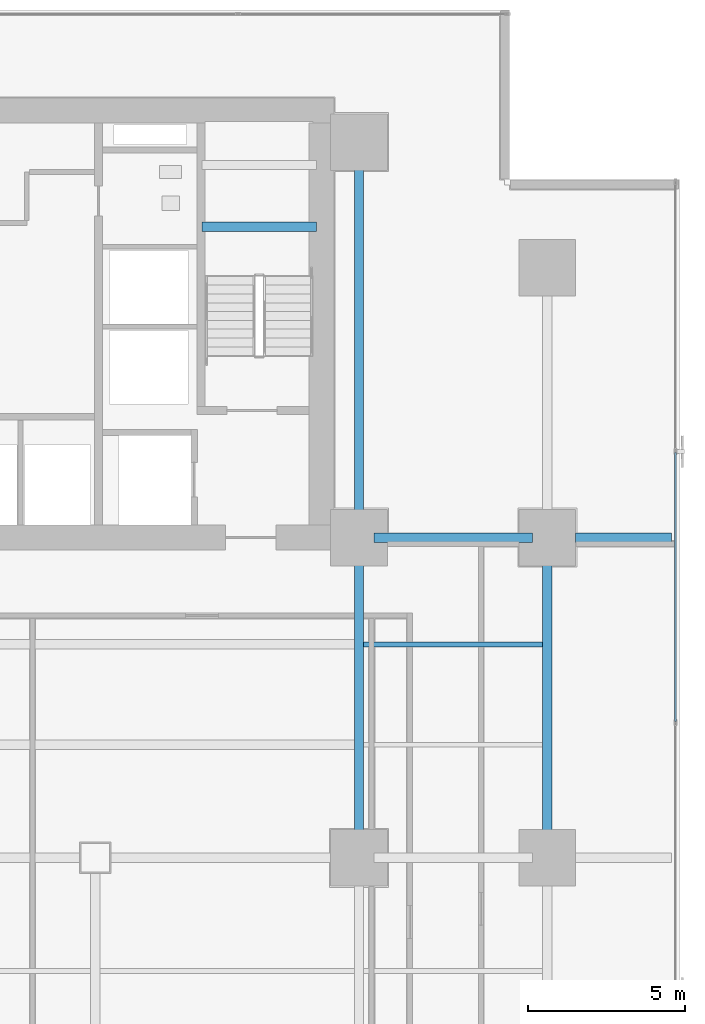
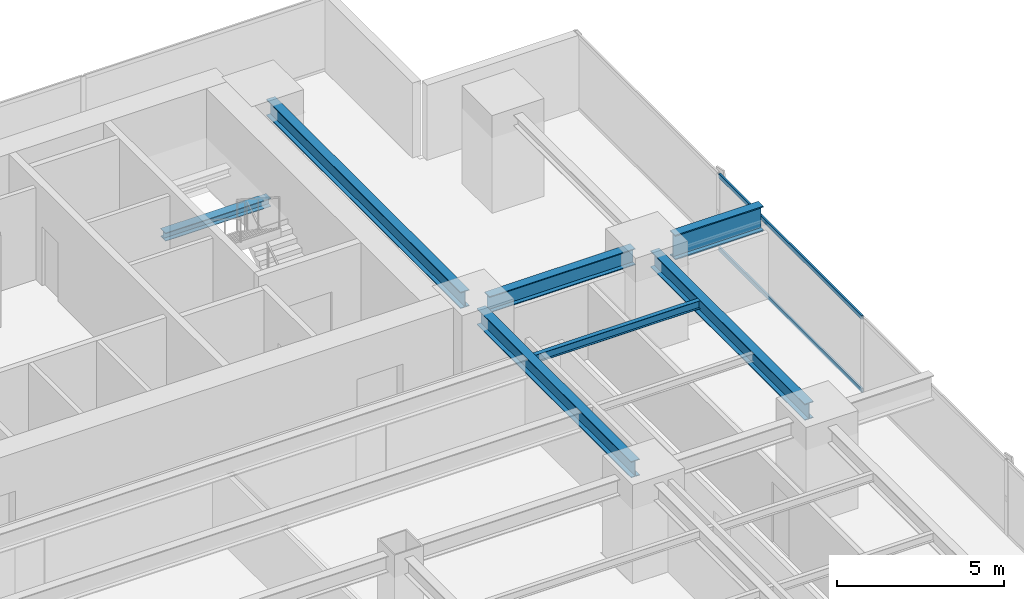
# One storey, part 20 of 34: 7 beams, 2 members, 1 element without a shape of its own.
"""IFC4 building model written with IfcOpenShell, lengths in metres."""

from ifc_helpers import new_model, si_unit, direction, frame, origin, origin_2d, place, context, subcontext, project, spatial, hollow_rectangle, i_section, extrude, source, transform, mapped, material, layer, layer_set, material_profile, profile_set, type_object, element, aggregate, save


model = new_model("IFC4")

# Units and contexts
model_context = context("Model", 3, precision=1e-05, world=origin(), true_north=direction((0.0, 1.0)))
body_context = subcontext(model_context, "Body", "Model", "MODEL_VIEW")
ifc_project = project(units=[si_unit("LENGTHUNIT", "METRE"), si_unit("AREAUNIT", "SQUARE_METRE"), si_unit("VOLUMEUNIT", "CUBIC_METRE"), si_unit("PLANEANGLEUNIT", "RADIAN"), si_unit("MASSUNIT", "GRAM", prefix="KILO")], contexts=[model_context])

# Site, building, storey
site_placement = place(None, origin())
site = spatial("IfcSite", under=ifc_project, at=site_placement, CompositionType="ELEMENT")
building_placement = place(site_placement, origin())
building = spatial("IfcBuilding", under=site, at=building_placement, Name="Sumidabori Civic Tower", CompositionType="ELEMENT")
storey_placement = place(building_placement, frame((0.0, 0.0, 56.0)))
storey = spatial("IfcBuildingStorey", under=building, at=storey_placement, Name="L14", CompositionType="ELEMENT", Elevation=56.0)

# Beams
ifc_material_1 = material(Name="Steel SN490", Category="steel")
ifc_material_profile_1 = material_profile(ifc_material_1, i_section(OverallWidth=0.300048828125, OverallDepth=0.300048828125, WebThickness=0.010986328125, FlangeThickness=0.01904296875, at=origin_2d()), Name="HE 300 B")
ifc_profile_set_1 = profile_set([ifc_material_profile_1], Name="Steel SN490")
beam_type_1 = type_object("IfcBeamType", Name="BM-LDG-300", PredefinedType="BEAM", material=ifc_profile_set_1)
shared_shape_1 = source(origin(), body_context, "Body", "SweptSolid", [
    extrude(i_section(OverallWidth=0.300048828125, OverallDepth=0.300048828125, WebThickness=0.010986328125, FlangeThickness=0.01904296875, at=origin_2d()), origin(), (0.0, 0.0, 1.0), 3.64990234375),
])
beam_1_placement = place(storey_placement, frame((11.800048828125, 20.09765625, 1.449951171875), z_axis=(1.0, 0.0, 0.0), x_axis=(0.0, 1.0, 0.0)))
element("IfcBeam", 1, at=beam_1_placement, inside=storey, type_object=beam_type_1, Name="Stair ST-2 Landing Support Beam L14-1A", PredefinedType="BEAM", context=body_context, shape_type="MappedRepresentation", body=[
    mapped(shared_shape_1, transform((0.0, 0.0, 0.0), x_axis=(1.0, 0.0, 0.0), y_axis=(0.0, 1.0, 0.0), z_axis=(0.0, 0.0, 1.0), scale=1.0)),
])
ifc_material_profile_2 = material_profile(ifc_material_1, i_section(OverallWidth=0.300048828125, OverallDepth=0.60009765625, WebThickness=0.015380859375, FlangeThickness=0.030029296875, at=origin_2d()), Name="HE 600 B")
ifc_profile_set_2 = profile_set([ifc_material_profile_2], Name="Steel SN490")
beam_type_2 = type_object("IfcBeamType", Name="BM-GIRD-600", PredefinedType="BEAM", material=ifc_profile_set_2)
shared_shape_2 = source(origin(), body_context, "Body", "SweptSolid", [
    extrude(i_section(OverallWidth=0.300048828125, OverallDepth=0.60009765625, WebThickness=0.015380859375, FlangeThickness=0.030029296875, at=origin_2d()), origin(), (0.0, 0.0, 1.0), 5.0400390625),
])
beam_2_placement = place(storey_placement, frame((17.280029296875, 10.199951171875, 3.06005859375), z_axis=(1.0, 0.0, 0.0), x_axis=(0.0, 1.0, 0.0)))
element("IfcBeam", 2, at=beam_2_placement, inside=storey, type_object=beam_type_2, Name="Primary Girder L14 GX-20", PredefinedType="BEAM", context=body_context, shape_type="MappedRepresentation", body=[
    mapped(shared_shape_2, transform((0.0, 0.0, 0.0), x_axis=(1.0, 0.0, 0.0), y_axis=(0.0, 1.0, 0.0), z_axis=(0.0, 0.0, 1.0), scale=1.0)),
])
shared_shape_3 = source(origin(), body_context, "Body", "SweptSolid", [
    extrude(i_section(OverallWidth=0.300048828125, OverallDepth=0.60009765625, WebThickness=0.015380859375, FlangeThickness=0.030029296875, at=origin_2d()), origin(), (0.0, 0.0, 1.0), 9.239990234375),
])
for number, where, z_axis, x_axis, name in (
    (3, (16.800048828125, 0.47998046875, 3.06005859375), (0.0, 1.0, 0.0), (-1.0, 0.0, 0.0), "Primary Girder L14 GY-37"),
    (4, (22.800048828125, 0.47998046875, 3.06005859375), (0.0, 1.0, 0.0), (-1.0, 0.0, 0.0), "Primary Girder L14 GY-41"),
):
    element("IfcBeam", number, at=place(storey_placement, frame(where, z_axis=z_axis, x_axis=x_axis)), inside=storey, type_object=beam_type_2, Name=name, PredefinedType="BEAM", context=body_context, shape_type="MappedRepresentation", body=[
        mapped(shared_shape_3, transform((0.0, 0.0, 0.0), x_axis=(1.0, 0.0, 0.0), y_axis=(0.0, 1.0, 0.0), z_axis=(0.0, 0.0, 1.0), scale=1.0)),
    ])
shared_shape_4 = source(origin(), body_context, "Body", "SweptSolid", [
    extrude(i_section(OverallWidth=0.300048828125, OverallDepth=0.60009765625, WebThickness=0.015380859375, FlangeThickness=0.030029296875, at=origin_2d()), origin(), (0.0, 0.0, 1.0), 11.64013671875),
])
beam_3_placement = place(storey_placement, frame((16.800048828125, 10.679931640625, 3.06005859375), z_axis=(0.0, 1.0, 0.0), x_axis=(-1.0, 0.0, 0.0)))
element("IfcBeam", 5, at=beam_3_placement, inside=storey, type_object=beam_type_2, Name="Primary Girder L14 GY-38", PredefinedType="BEAM", context=body_context, shape_type="MappedRepresentation", body=[
    mapped(shared_shape_4, transform((0.0, 0.0, 0.0), x_axis=(1.0, 0.0, 0.0), y_axis=(0.0, 1.0, 0.0), z_axis=(0.0, 0.0, 1.0), scale=1.0)),
])
ifc_material_profile_3 = material_profile(ifc_material_1, i_section(OverallWidth=0.302001953125, OverallDepth=0.909912109375, WebThickness=0.02099609375, FlangeThickness=0.0400390625, at=origin_2d()), Name="HE 900 M")
ifc_profile_set_3 = profile_set([ifc_material_profile_3], Name="Steel SN490")
beam_type_3 = type_object("IfcBeamType", Name="BM-Z1-EDGE", PredefinedType="SPANDREL", material=ifc_profile_set_3)
shared_shape_5 = source(origin(), body_context, "Body", "SweptSolid", [
    extrude(i_section(OverallWidth=0.302001953125, OverallDepth=0.909912109375, WebThickness=0.02099609375, FlangeThickness=0.0400390625, at=origin_2d()), origin(), (0.0, 0.0, 1.0), 3.050048828125),
])
beam_4_placement = place(storey_placement, frame((23.699951171875, 10.199951171875, 2.905029296875), z_axis=(1.0, 0.0, 0.0), x_axis=(0.0, 1.0, 0.0)))
element("IfcBeam", 6, at=beam_4_placement, inside=storey, type_object=beam_type_3, Name="Perimeter Overhang Beam L14 E-47", PredefinedType="SPANDREL", context=body_context, shape_type="MappedRepresentation", body=[
    mapped(shared_shape_5, transform((0.0, 0.0, 0.0), x_axis=(1.0, 0.0, 0.0), y_axis=(0.0, 1.0, 0.0), z_axis=(0.0, 0.0, 1.0), scale=1.0)),
])
ifc_material_profile_4 = material_profile(ifc_material_1, i_section(OverallWidth=0.14990234375, OverallDepth=0.300048828125, WebThickness=0.007080078125, FlangeThickness=0.0107421875, at=origin_2d()), Name="IPE 300")
ifc_profile_set_4 = profile_set([ifc_material_profile_4], Name="Steel SN490")
beam_type_4 = type_object("IfcBeamType", Name="BM-JST-300", PredefinedType="JOIST", material=ifc_profile_set_4)
shared_shape_6 = source(origin(), body_context, "Body", "SweptSolid", [
    extrude(i_section(OverallWidth=0.14990234375, OverallDepth=0.300048828125, WebThickness=0.007080078125, FlangeThickness=0.0107421875, at=origin_2d()), origin(), (0.0, 0.0, 1.0), 5.699951171875),
])
beam_5_placement = place(storey_placement, frame((16.949951171875, 6.800048828125, 3.2099609375), z_axis=(1.0, 0.0, 0.0), x_axis=(0.0, 1.0, 0.0)))
element("IfcBeam", 7, at=beam_5_placement, inside=storey, type_object=beam_type_4, Name="Outer Bay Floor Joist L14 JSTO-56", PredefinedType="JOIST", context=body_context, shape_type="MappedRepresentation", body=[
    mapped(shared_shape_6, transform((0.0, 0.0, 0.0), x_axis=(1.0, 0.0, 0.0), y_axis=(0.0, 1.0, 0.0), z_axis=(0.0, 0.0, 1.0), scale=1.0)),
])

# Curtain wall, members
ifc_material_2 = material(Name="Anodised Bronze Aluminium AW-6063-T6", Category="aluminium")
ifc_layer = layer(ifc_material_2, 0.179931640625, Name="Anodised Bronze Aluminium AW-6063-T6")
ifc_layer_set = layer_set([ifc_layer], Name="Anodised Bronze Aluminium AW-6063-T6")
curtain_wall_type = type_object("IfcCurtainWallType", Name="CW-SYS-2", PredefinedType="NOTDEFINED", material=ifc_layer_set)
curtain_wall_placement = place(storey_placement, origin())
curtain_wall = element("IfcCurtainWall", 8, at=curtain_wall_placement, inside=storey, type_object=curtain_wall_type, Name="Curtain Wall CW:L14:R04", PredefinedType="NOTDEFINED")
ifc_material_profile_5 = material_profile(ifc_material_2, hollow_rectangle(XDim=0.06494140625, YDim=0.14990234375, WallThickness=0.0048828125, at=origin_2d()), Name="ALU TRANSOM 150x65")
ifc_profile_set_5 = profile_set([ifc_material_profile_5], Name="Anodised Bronze Aluminium AW-6063-T6")
member_type = type_object("IfcMemberType", Name="CW-TRN-150", PredefinedType="USERDEFINED", material=ifc_profile_set_5)
shared_shape_7 = source(origin(), body_context, "Body", "SweptSolid", [
    extrude(hollow_rectangle(XDim=0.06494140625, YDim=0.14990234375, WallThickness=0.0048828125, at=origin_2d()), origin(), (0.0, 0.0, 1.0), 8.557861328125),
])
member_1_placement = place(storey_placement, frame((26.8798828125, 4.34912109375, 0.032470703125), z_axis=(0.0, 1.0, 0.0), x_axis=(-1.0, 0.0, 0.0)))
member_1 = element("IfcMember", 9, at=member_1_placement, type_object=member_type, Name="CW-2 transom 4.1", ObjectType="TRANSOM", PredefinedType="USERDEFINED", context=body_context, shape_type="MappedRepresentation", body=[
    mapped(shared_shape_7, transform((0.0, 0.0, 0.0), x_axis=(1.0, 0.0, 0.0), y_axis=(0.0, 1.0, 0.0), z_axis=(0.0, 0.0, 1.0), scale=1.0)),
])
member_2_placement = place(storey_placement, frame((26.8798828125, 4.34912109375, 2.70751953125), z_axis=(0.0, 1.0, 0.0), x_axis=(-1.0, 0.0, 0.0)))
member_2 = element("IfcMember", 10, at=member_2_placement, type_object=member_type, Name="CW-2 transom 4.2", ObjectType="TRANSOM", PredefinedType="USERDEFINED", context=body_context, shape_type="MappedRepresentation", body=[
    mapped(shared_shape_7, transform((0.0, 0.0, 0.0), x_axis=(1.0, 0.0, 0.0), y_axis=(0.0, 1.0, 0.0), z_axis=(0.0, 0.0, 1.0), scale=1.0)),
])
aggregate(curtain_wall, [member_1, member_2])

save(model, "model.ifc")
